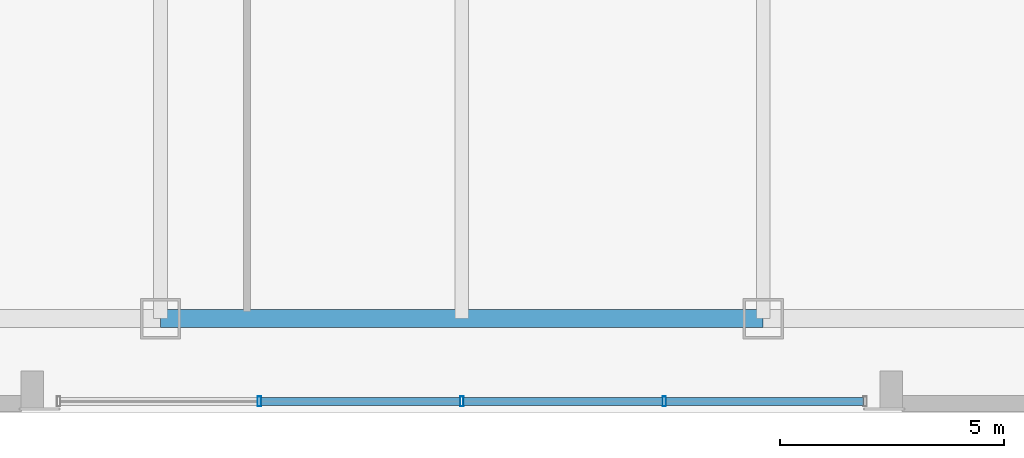
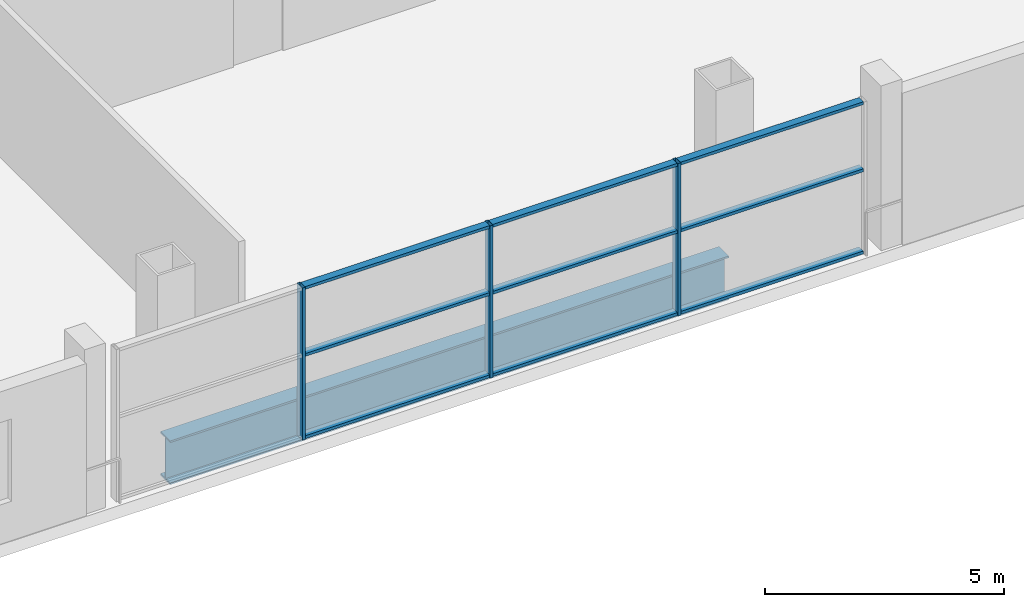
# One storey, part 4 of 21: 12 members, 1 beam, 1 element without a shape of its own.
"""IFC4 building model written with IfcOpenShell, lengths in metres."""

from ifc_helpers import new_model, si_unit, direction, frame, origin, origin_2d, place, context, subcontext, project, spatial, hollow_rectangle, i_section, extrude, material, layer, layer_set, material_profile, profile_set, type_object, element, aggregate, save


model = new_model("IFC4")

# Units and contexts
model_context = context("Model", 3, precision=1e-05, world=origin(), true_north=direction((0.0, 1.0)))
body_context = subcontext(model_context, "Body", "Model", "MODEL_VIEW")
ifc_project = project(units=[si_unit("LENGTHUNIT", "METRE"), si_unit("AREAUNIT", "SQUARE_METRE"), si_unit("VOLUMEUNIT", "CUBIC_METRE"), si_unit("PLANEANGLEUNIT", "RADIAN"), si_unit("MASSUNIT", "GRAM", prefix="KILO")], contexts=[model_context])

# Site, building, storey
site_placement = place(None, origin())
site = spatial("IfcSite", under=ifc_project, at=site_placement, CompositionType="ELEMENT")
building_placement = place(site_placement, origin())
building = spatial("IfcBuilding", under=site, at=building_placement, Name="Qhalaya Broadcast Tower", CompositionType="ELEMENT")
storey_placement = place(building_placement, frame((0.0, 0.0, 13.5)))
storey = spatial("IfcBuildingStorey", under=building, at=storey_placement, Name="L03", CompositionType="ELEMENT", Elevation=13.5)

# Beam
ifc_material_1 = material(Name="Structural Steel ASTM A992 Grade 50", Category="steel")
ifc_material_profile_1 = material_profile(ifc_material_1, i_section(OverallWidth=0.404052734375, OverallDepth=1.117919921875, WebThickness=0.026123046875, FlangeThickness=0.044921875, at=origin_2d()), Name="W44X335")
ifc_profile_set_1 = profile_set([ifc_material_profile_1], Name="Structural Steel ASTM A992 Grade 50")
beam_type = type_object("IfcBeamType", Name="Podium Long-Span Primary Girder PG1", PredefinedType="USERDEFINED", material=ifc_profile_set_1)
beam_placement = place(storey_placement, frame((-6.7333984375, -25.89990234375, -0.87890625), z_axis=(1.0, 0.0, 0.0), x_axis=(0.0, 1.0, 0.0)))
element("IfcBeam", 1, at=beam_placement, inside=storey, type_object=beam_type, Name="L03 PG1 L03-PG-R02", ObjectType="GIRDER", PredefinedType="USERDEFINED", context=body_context, shape_type="SweptSolid", body=[
    extrude(i_section(OverallWidth=0.404052734375, OverallDepth=1.117919921875, WebThickness=0.026123046875, FlangeThickness=0.044921875, at=origin_2d()), origin(), (0.0, 0.0, 1.0), 13.466796875),
])

# Curtain wall, members
ifc_material_2 = material(Name="Solar-Control Low-E Triple Glazing", Category="glass")
ifc_layer = layer(ifc_material_2, 0.219970703125, Name="Solar-Control Low-E Triple Glazing")
ifc_layer_set = layer_set([ifc_layer], Name="Solar-Control Low-E Triple Glazing")
curtain_wall_type = type_object("IfcCurtainWallType", Name="Podium Concourse Triple-Height Glazed Portal CW-01", PredefinedType="NOTDEFINED", material=ifc_layer_set)
curtain_wall_placement = place(storey_placement, origin())
curtain_wall = element("IfcCurtainWall", 2, at=curtain_wall_placement, inside=storey, type_object=curtain_wall_type, Name="L03 Unitised Curtain Wall L03-CW01-S", PredefinedType="NOTDEFINED")
ifc_material_3 = material(Name="Anodised Aluminium 6063-T6", Category="aluminium")
ifc_material_profile_2 = material_profile(ifc_material_3, hollow_rectangle(XDim=0.074951171875, YDim=0.219970703125, WallThickness=0.00390625, at=origin_2d()), Name="ALU-MUL 75x220x4")
ifc_profile_set_2 = profile_set([ifc_material_profile_2], Name="Anodised Aluminium 6063-T6")
member_type_1 = type_object("IfcMemberType", Name="Unitised Curtain-Wall Mullion M01", PredefinedType="MULLION", material=ifc_profile_set_2)
member_1_placement = place(storey_placement, frame((-4.52490234375, -27.75, 0.0), z_axis=(0.0, 0.0, 1.0), x_axis=(1.0, 0.0, 0.0)))
member_1 = element("IfcMember", 3, at=member_1_placement, type_object=member_type_1, Name="CW-01 mullion 2", PredefinedType="MULLION", context=body_context, shape_type="SweptSolid", body=[
    extrude(hollow_rectangle(XDim=0.074951171875, YDim=0.219970703125, WallThickness=0.00390625, at=origin_2d()), origin(), (0.0, 0.0, 1.0), 3.8798828125),
])
member_2_placement = place(storey_placement, frame((0.0, -27.75, 0.0), z_axis=(0.0, 0.0, 1.0), x_axis=(1.0, 0.0, 0.0)))
member_2 = element("IfcMember", 4, at=member_2_placement, type_object=member_type_1, Name="CW-01 mullion 3", PredefinedType="MULLION", context=body_context, shape_type="SweptSolid", body=[
    extrude(hollow_rectangle(XDim=0.074951171875, YDim=0.219970703125, WallThickness=0.00390625, at=origin_2d()), origin(), (0.0, 0.0, 1.0), 3.8798828125),
])
member_3_placement = place(storey_placement, frame((4.52490234375, -27.75, 0.0), z_axis=(0.0, 0.0, 1.0), x_axis=(1.0, 0.0, 0.0)))
member_3 = element("IfcMember", 5, at=member_3_placement, type_object=member_type_1, Name="CW-01 mullion 4", PredefinedType="MULLION", context=body_context, shape_type="SweptSolid", body=[
    extrude(hollow_rectangle(XDim=0.074951171875, YDim=0.219970703125, WallThickness=0.00390625, at=origin_2d()), origin(), (0.0, 0.0, 1.0), 3.8798828125),
])
ifc_material_profile_3 = material_profile(ifc_material_3, hollow_rectangle(XDim=0.074951171875, YDim=0.179931640625, WallThickness=0.00390625, at=origin_2d()), Name="ALU-TRN 75x180x4")
ifc_profile_set_3 = profile_set([ifc_material_profile_3], Name="Anodised Aluminium 6063-T6")
member_type_2 = type_object("IfcMemberType", Name="Unitised Curtain-Wall Transom T01", PredefinedType="USERDEFINED", material=ifc_profile_set_3)
member_4_placement = place(storey_placement, frame((-4.487548828125, -27.75, 0.03759765625), z_axis=(1.0, 0.0, 0.0), x_axis=(0.0, 0.0, 1.0)))
member_4 = element("IfcMember", 6, at=member_4_placement, type_object=member_type_2, Name="CW-01 transom 2.1", ObjectType="TRANSOM", PredefinedType="USERDEFINED", context=body_context, shape_type="SweptSolid", body=[
    extrude(hollow_rectangle(XDim=0.074951171875, YDim=0.179931640625, WallThickness=0.00390625, at=origin_2d()), origin(), (0.0, 0.0, 1.0), 4.449951171875),
])
member_5_placement = place(storey_placement, frame((-4.487548828125, -27.75, 2.134033203125), z_axis=(1.0, 0.0, 0.0), x_axis=(0.0, 0.0, 1.0)))
member_5 = element("IfcMember", 7, at=member_5_placement, type_object=member_type_2, Name="CW-01 transom 2.2", ObjectType="TRANSOM", PredefinedType="USERDEFINED", context=body_context, shape_type="SweptSolid", body=[
    extrude(hollow_rectangle(XDim=0.074951171875, YDim=0.179931640625, WallThickness=0.00390625, at=origin_2d()), origin(), (0.0, 0.0, 1.0), 4.449951171875),
])
member_6_placement = place(storey_placement, frame((-4.487548828125, -27.75, 3.842529296875), z_axis=(1.0, 0.0, 0.0), x_axis=(0.0, 0.0, 1.0)))
member_6 = element("IfcMember", 8, at=member_6_placement, type_object=member_type_2, Name="CW-01 transom 2.3", ObjectType="TRANSOM", PredefinedType="USERDEFINED", context=body_context, shape_type="SweptSolid", body=[
    extrude(hollow_rectangle(XDim=0.074951171875, YDim=0.179931640625, WallThickness=0.00390625, at=origin_2d()), origin(), (0.0, 0.0, 1.0), 4.449951171875),
])
member_7_placement = place(storey_placement, frame((0.03759765625, -27.75, 0.03759765625), z_axis=(1.0, 0.0, 0.0), x_axis=(0.0, 0.0, 1.0)))
member_7 = element("IfcMember", 9, at=member_7_placement, type_object=member_type_2, Name="CW-01 transom 3.1", ObjectType="TRANSOM", PredefinedType="USERDEFINED", context=body_context, shape_type="SweptSolid", body=[
    extrude(hollow_rectangle(XDim=0.074951171875, YDim=0.179931640625, WallThickness=0.00390625, at=origin_2d()), origin(), (0.0, 0.0, 1.0), 4.449951171875),
])
member_8_placement = place(storey_placement, frame((0.03759765625, -27.75, 2.134033203125), z_axis=(1.0, 0.0, 0.0), x_axis=(0.0, 0.0, 1.0)))
member_8 = element("IfcMember", 10, at=member_8_placement, type_object=member_type_2, Name="CW-01 transom 3.2", ObjectType="TRANSOM", PredefinedType="USERDEFINED", context=body_context, shape_type="SweptSolid", body=[
    extrude(hollow_rectangle(XDim=0.074951171875, YDim=0.179931640625, WallThickness=0.00390625, at=origin_2d()), origin(), (0.0, 0.0, 1.0), 4.449951171875),
])
member_9_placement = place(storey_placement, frame((0.03759765625, -27.75, 3.842529296875), z_axis=(1.0, 0.0, 0.0), x_axis=(0.0, 0.0, 1.0)))
member_9 = element("IfcMember", 11, at=member_9_placement, type_object=member_type_2, Name="CW-01 transom 3.3", ObjectType="TRANSOM", PredefinedType="USERDEFINED", context=body_context, shape_type="SweptSolid", body=[
    extrude(hollow_rectangle(XDim=0.074951171875, YDim=0.179931640625, WallThickness=0.00390625, at=origin_2d()), origin(), (0.0, 0.0, 1.0), 4.449951171875),
])
member_10_placement = place(storey_placement, frame((4.5625, -27.75, 0.03759765625), z_axis=(1.0, 0.0, 0.0), x_axis=(0.0, 0.0, 1.0)))
member_10 = element("IfcMember", 12, at=member_10_placement, type_object=member_type_2, Name="CW-01 transom 4.1", ObjectType="TRANSOM", PredefinedType="USERDEFINED", context=body_context, shape_type="SweptSolid", body=[
    extrude(hollow_rectangle(XDim=0.074951171875, YDim=0.179931640625, WallThickness=0.00390625, at=origin_2d()), origin(), (0.0, 0.0, 1.0), 4.41259765625),
])
member_11_placement = place(storey_placement, frame((4.5625, -27.75, 2.134033203125), z_axis=(1.0, 0.0, 0.0), x_axis=(0.0, 0.0, 1.0)))
member_11 = element("IfcMember", 13, at=member_11_placement, type_object=member_type_2, Name="CW-01 transom 4.2", ObjectType="TRANSOM", PredefinedType="USERDEFINED", context=body_context, shape_type="SweptSolid", body=[
    extrude(hollow_rectangle(XDim=0.074951171875, YDim=0.179931640625, WallThickness=0.00390625, at=origin_2d()), origin(), (0.0, 0.0, 1.0), 4.41259765625),
])
member_12_placement = place(storey_placement, frame((4.5625, -27.75, 3.842529296875), z_axis=(1.0, 0.0, 0.0), x_axis=(0.0, 0.0, 1.0)))
member_12 = element("IfcMember", 14, at=member_12_placement, type_object=member_type_2, Name="CW-01 transom 4.3", ObjectType="TRANSOM", PredefinedType="USERDEFINED", context=body_context, shape_type="SweptSolid", body=[
    extrude(hollow_rectangle(XDim=0.074951171875, YDim=0.179931640625, WallThickness=0.00390625, at=origin_2d()), origin(), (0.0, 0.0, 1.0), 4.41259765625),
])
aggregate(curtain_wall, [member_1, member_2, member_3, member_4, member_5, member_6, member_7, member_8, member_9, member_10, member_11, member_12])

save(model, "model.ifc")
